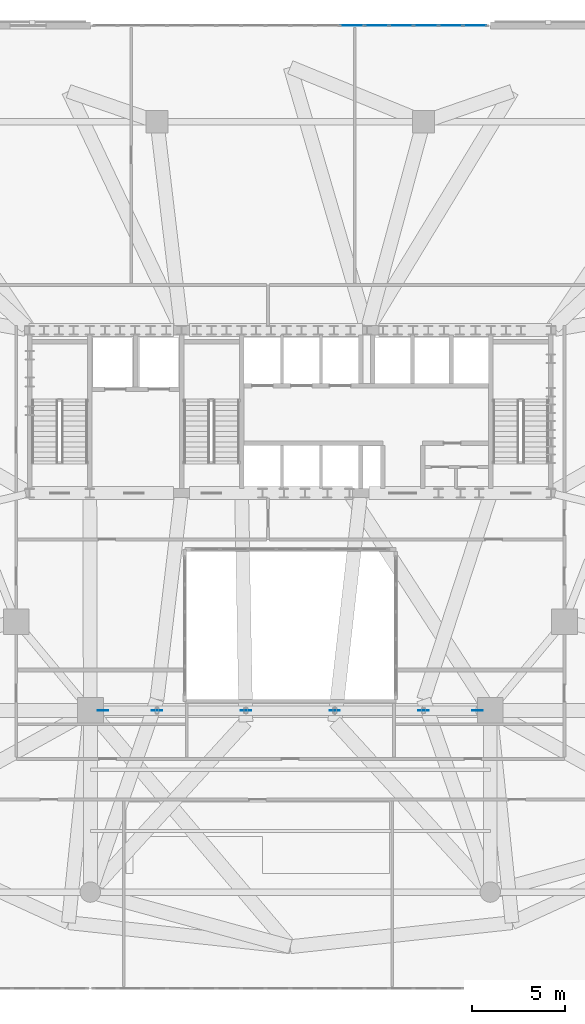
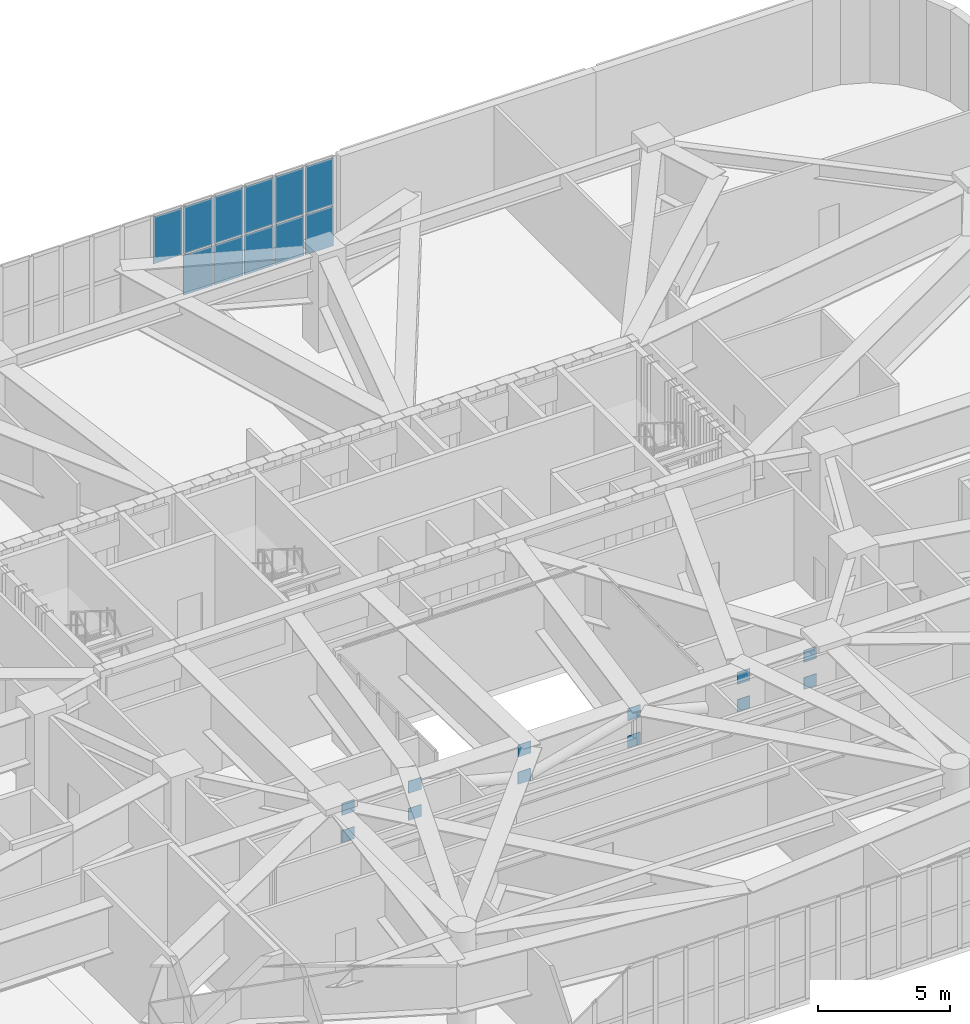
# One storey, part 14 of 26: 23 plates, 1 element without a shape of its own.
"""IFC4 building model written with IfcOpenShell, lengths in metres."""

from ifc_helpers import new_model, si_unit, direction, frame, origin, origin_2d, place, context, subcontext, project, spatial, rectangle, extrude, material, layer, layer_set, type_object, element, aggregate, save


model = new_model("IFC4")

# Units and contexts
model_context = context("Model", 3, precision=1e-05, world=origin(), true_north=direction((0.0, 1.0)))
body_context = subcontext(model_context, "Body", "Model", "MODEL_VIEW")
ifc_project = project(units=[si_unit("LENGTHUNIT", "METRE"), si_unit("AREAUNIT", "SQUARE_METRE"), si_unit("VOLUMEUNIT", "CUBIC_METRE"), si_unit("PLANEANGLEUNIT", "RADIAN"), si_unit("MASSUNIT", "GRAM", prefix="KILO")], contexts=[model_context])

# Site, building, storey
site_placement = place(None, origin())
site = spatial("IfcSite", under=ifc_project, at=site_placement, CompositionType="ELEMENT")
building_placement = place(site_placement, origin())
building = spatial("IfcBuilding", under=site, at=building_placement, Name="Haldorwick Loom Tower", CompositionType="ELEMENT")
storey_placement = place(building_placement, frame((0.0, 0.0, 19.5)))
storey = spatial("IfcBuildingStorey", under=building, at=storey_placement, Name="L04", CompositionType="ELEMENT", Elevation=19.5)

# Curtain wall, plates
ifc_material_1 = material(Name="Thermally Broken Anodized Aluminium Curtain Wall Framing", Category="aluminium")
curtain_wall_type = type_object("IfcCurtainWallType", Name="ARC-CW-02", PredefinedType="NOTDEFINED", material=ifc_material_1)
curtain_wall_placement = place(storey_placement, origin())
curtain_wall = element("IfcCurtainWall", 1, at=curtain_wall_placement, inside=storey, type_object=curtain_wall_type, Name="L04 Facade Curtain Wall CW-02 Bay 19", PredefinedType="NOTDEFINED")
ifc_material_2 = material(Name="Triple-Glazed Low-E Argon Insulated Glazing Unit", Category="glass")
ifc_layer_1 = layer(ifc_material_2, 0.0400390625, Name="Triple-Glazed Low-E Argon Insulated Glazing Unit", Category="glass")
ifc_layer_set_1 = layer_set([ifc_layer_1], Name="Triple-Glazed Low-E Argon Insulated Glazing Unit")
plate_type_1 = type_object("IfcPlateType", Name="ARC-CWP-02", PredefinedType="CURTAIN_PANEL", material=ifc_layer_set_1)
plate_1_placement = place(storey_placement, frame((45.976318359375, 52.0, 0.06982421875), z_axis=(0.0, 0.0, 1.0), x_axis=(-1.0, 0.0, 0.0)))
plate_1 = element("IfcPlate", 2, at=plate_1_placement, type_object=plate_type_1, Name="CW-02 panel 1.1", PredefinedType="CURTAIN_PANEL", context=body_context, shape_type="SweptSolid", body=[
    extrude(rectangle(XDim=1.2275390625, YDim=0.0400390625, at=origin_2d()), origin(), (0.0, 0.0, 1.0), 1.844970703125),
])
plate_2_placement = place(storey_placement, frame((45.976318359375, 52.0, 1.98486328125), z_axis=(0.0, 0.0, 1.0), x_axis=(-1.0, 0.0, 0.0)))
plate_2 = element("IfcPlate", 3, at=plate_2_placement, type_object=plate_type_1, Name="CW-02 panel 1.2", PredefinedType="CURTAIN_PANEL", context=body_context, shape_type="SweptSolid", body=[
    extrude(rectangle(XDim=1.2275390625, YDim=0.0400390625, at=origin_2d()), origin(), (0.0, 0.0, 1.0), 2.1650390625),
])
plate_3_placement = place(storey_placement, frame((44.6611328125, 52.0, 0.06982421875), z_axis=(0.0, 0.0, 1.0), x_axis=(-1.0, 0.0, 0.0)))
plate_3 = element("IfcPlate", 4, at=plate_3_placement, type_object=plate_type_1, Name="CW-02 panel 2.1", PredefinedType="CURTAIN_PANEL", context=body_context, shape_type="SweptSolid", body=[
    extrude(rectangle(XDim=1.262451171875, YDim=0.0400390625, at=origin_2d()), origin(), (0.0, 0.0, 1.0), 1.844970703125),
])
plate_4_placement = place(storey_placement, frame((44.6611328125, 52.0, 1.98486328125), z_axis=(0.0, 0.0, 1.0), x_axis=(-1.0, 0.0, 0.0)))
plate_4 = element("IfcPlate", 5, at=plate_4_placement, type_object=plate_type_1, Name="CW-02 panel 2.2", PredefinedType="CURTAIN_PANEL", context=body_context, shape_type="SweptSolid", body=[
    extrude(rectangle(XDim=1.262451171875, YDim=0.0400390625, at=origin_2d()), origin(), (0.0, 0.0, 1.0), 2.1650390625),
])
plate_5_placement = place(storey_placement, frame((43.328857421875, 52.0, 0.06982421875), z_axis=(0.0, 0.0, 1.0), x_axis=(-1.0, 0.0, 0.0)))
plate_5 = element("IfcPlate", 6, at=plate_5_placement, type_object=plate_type_1, Name="CW-02 panel 3.1", PredefinedType="CURTAIN_PANEL", context=body_context, shape_type="SweptSolid", body=[
    extrude(rectangle(XDim=1.262451171875, YDim=0.0400390625, at=origin_2d()), origin(), (0.0, 0.0, 1.0), 1.844970703125),
])
plate_6_placement = place(storey_placement, frame((43.328857421875, 52.0, 1.98486328125), z_axis=(0.0, 0.0, 1.0), x_axis=(-1.0, 0.0, 0.0)))
plate_6 = element("IfcPlate", 7, at=plate_6_placement, type_object=plate_type_1, Name="CW-02 panel 3.2", PredefinedType="CURTAIN_PANEL", context=body_context, shape_type="SweptSolid", body=[
    extrude(rectangle(XDim=1.262451171875, YDim=0.0400390625, at=origin_2d()), origin(), (0.0, 0.0, 1.0), 2.1650390625),
])
plate_7_placement = place(storey_placement, frame((41.996337890625, 52.0, 0.06982421875), z_axis=(0.0, 0.0, 1.0), x_axis=(-1.0, 0.0, 0.0)))
plate_7 = element("IfcPlate", 8, at=plate_7_placement, type_object=plate_type_1, Name="CW-02 panel 4.1", PredefinedType="CURTAIN_PANEL", context=body_context, shape_type="SweptSolid", body=[
    extrude(rectangle(XDim=1.262451171875, YDim=0.0400390625, at=origin_2d()), origin(), (0.0, 0.0, 1.0), 1.844970703125),
])
plate_8_placement = place(storey_placement, frame((41.996337890625, 52.0, 1.98486328125), z_axis=(0.0, 0.0, 1.0), x_axis=(-1.0, 0.0, 0.0)))
plate_8 = element("IfcPlate", 9, at=plate_8_placement, type_object=plate_type_1, Name="CW-02 panel 4.2", PredefinedType="CURTAIN_PANEL", context=body_context, shape_type="SweptSolid", body=[
    extrude(rectangle(XDim=1.262451171875, YDim=0.0400390625, at=origin_2d()), origin(), (0.0, 0.0, 1.0), 2.1650390625),
])
plate_9_placement = place(storey_placement, frame((40.663818359375, 52.0, 0.06982421875), z_axis=(0.0, 0.0, 1.0), x_axis=(-1.0, 0.0, 0.0)))
plate_9 = element("IfcPlate", 10, at=plate_9_placement, type_object=plate_type_1, Name="CW-02 panel 5.1", PredefinedType="CURTAIN_PANEL", context=body_context, shape_type="SweptSolid", body=[
    extrude(rectangle(XDim=1.262451171875, YDim=0.0400390625, at=origin_2d()), origin(), (0.0, 0.0, 1.0), 1.844970703125),
])
plate_10_placement = place(storey_placement, frame((40.663818359375, 52.0, 1.98486328125), z_axis=(0.0, 0.0, 1.0), x_axis=(-1.0, 0.0, 0.0)))
plate_10 = element("IfcPlate", 11, at=plate_10_placement, type_object=plate_type_1, Name="CW-02 panel 5.2", PredefinedType="CURTAIN_PANEL", context=body_context, shape_type="SweptSolid", body=[
    extrude(rectangle(XDim=1.262451171875, YDim=0.0400390625, at=origin_2d()), origin(), (0.0, 0.0, 1.0), 2.1650390625),
])
plate_11_placement = place(storey_placement, frame((39.331298828125, 52.0, 1.98486328125), z_axis=(0.0, 0.0, 1.0), x_axis=(-1.0, 0.0, 0.0)))
plate_11 = element("IfcPlate", 12, at=plate_11_placement, type_object=plate_type_1, Name="CW-02 panel 6.2", PredefinedType="CURTAIN_PANEL", context=body_context, shape_type="SweptSolid", body=[
    extrude(rectangle(XDim=1.262451171875, YDim=0.0400390625, at=origin_2d()), origin(), (0.0, 0.0, 1.0), 2.1650390625),
])
aggregate(curtain_wall, [plate_1, plate_2, plate_3, plate_4, plate_5, plate_6, plate_7, plate_8, plate_9, plate_10, plate_11])

# Plates
ifc_material_3 = material(Name="Steel CSA G40.21 350WT", Category="steel")
ifc_layer_2 = layer(ifc_material_3, 0.031982421875, Name="Steel CSA G40.21 350WT", Category="steel")
ifc_layer_set_2 = layer_set([ifc_layer_2], Name="Steel CSA G40.21 350WT")
plate_type_2 = type_object("IfcPlateType", Name="STR-PLT-CAP32", PredefinedType="SHEET", material=ifc_layer_set_2)
for number, where, z_axis, x_axis, name in (
    (13, (25.8798828125, 15.0, 2.199951171875), (0.0, 0.0, 1.0), (1.0, 0.0, 0.0), "L04 Truss Node Gusset Plate PLT-L04-TRN-0B"),
    (14, (25.8798828125, 15.0, 3.4599609375), (0.0, 0.0, 1.0), (1.0, 0.0, 0.0), "L04 Truss Node Gusset Plate PLT-L04-TRN-0T"),
    (15, (46.1201171875, 15.0, 2.199951171875), (0.0, 0.0, 1.0), (1.0, 0.0, 0.0), "L04 Truss Node Gusset Plate PLT-L04-TRN-5B"),
    (16, (46.1201171875, 15.0, 3.4599609375), (0.0, 0.0, 1.0), (1.0, 0.0, 0.0), "L04 Truss Node Gusset Plate PLT-L04-TRN-5T"),
    (17, (28.800048828125, 15.0, 3.4599609375), (0.0, 0.0, 1.0), (1.0, 0.0, 0.0), "L04 Truss Node Gusset Plate PLT-L04-TBR-0B"),
    (18, (33.60009765625, 15.0, 2.199951171875), (0.0, 0.0, 1.0), (1.0, 0.0, 0.0), "L04 Truss Node Gusset Plate PLT-L04-TBR-1B"),
    (19, (38.39990234375, 15.0, 3.4599609375), (0.0, 0.0, 1.0), (1.0, 0.0, 0.0), "L04 Truss Node Gusset Plate PLT-L04-TBR-2B"),
    (20, (43.199951171875, 15.0, 2.199951171875), (0.0, 0.0, 1.0), (1.0, 0.0, 0.0), "L04 Truss Node Gusset Plate PLT-L04-TBR-3B"),
    (21, (28.800048828125, 15.0, 2.199951171875), (0.0, 0.0, 1.0), (1.0, 0.0, 0.0), "L04 Truss Node Gusset Plate PLT-L04-TRN-1B"),
    (22, (33.60009765625, 15.0, 3.4599609375), (0.0, 0.0, 1.0), (1.0, 0.0, 0.0), "L04 Truss Node Gusset Plate PLT-L04-TRN-2T"),
    (23, (38.39990234375, 15.0, 2.199951171875), (0.0, 0.0, 1.0), (1.0, 0.0, 0.0), "L04 Truss Node Gusset Plate PLT-L04-TRN-3B"),
    (24, (43.199951171875, 15.0, 3.4599609375), (0.0, 0.0, 1.0), (1.0, 0.0, 0.0), "L04 Truss Node Gusset Plate PLT-L04-TRN-4T"),
):
    element("IfcPlate", number, at=place(storey_placement, frame(where, z_axis=z_axis, x_axis=x_axis)), inside=storey, type_object=plate_type_2, Name=name, PredefinedType="SHEET", context=body_context, shape_type="SweptSolid", body=[
        extrude(rectangle(XDim=0.56005859375, YDim=0.028076171875, at=origin_2d()), origin(), (0.0, 0.0, 1.0), 0.56005859375),
    ])

save(model, "model.ifc")
